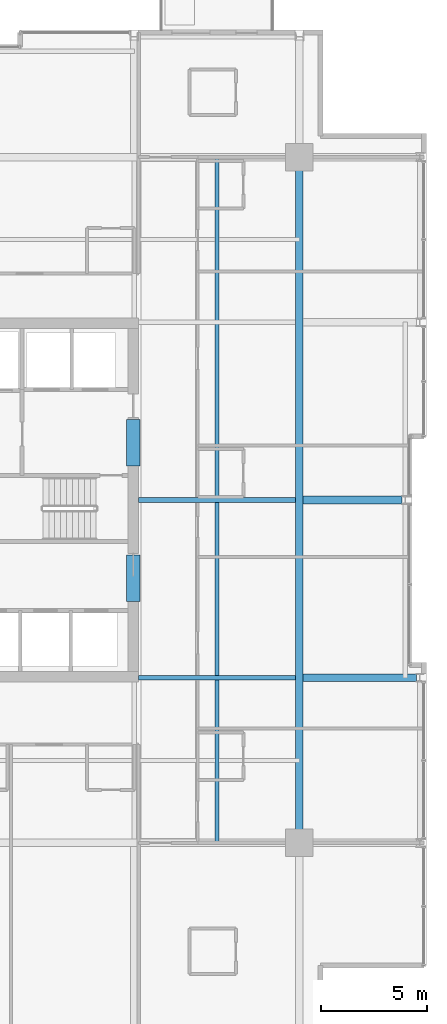
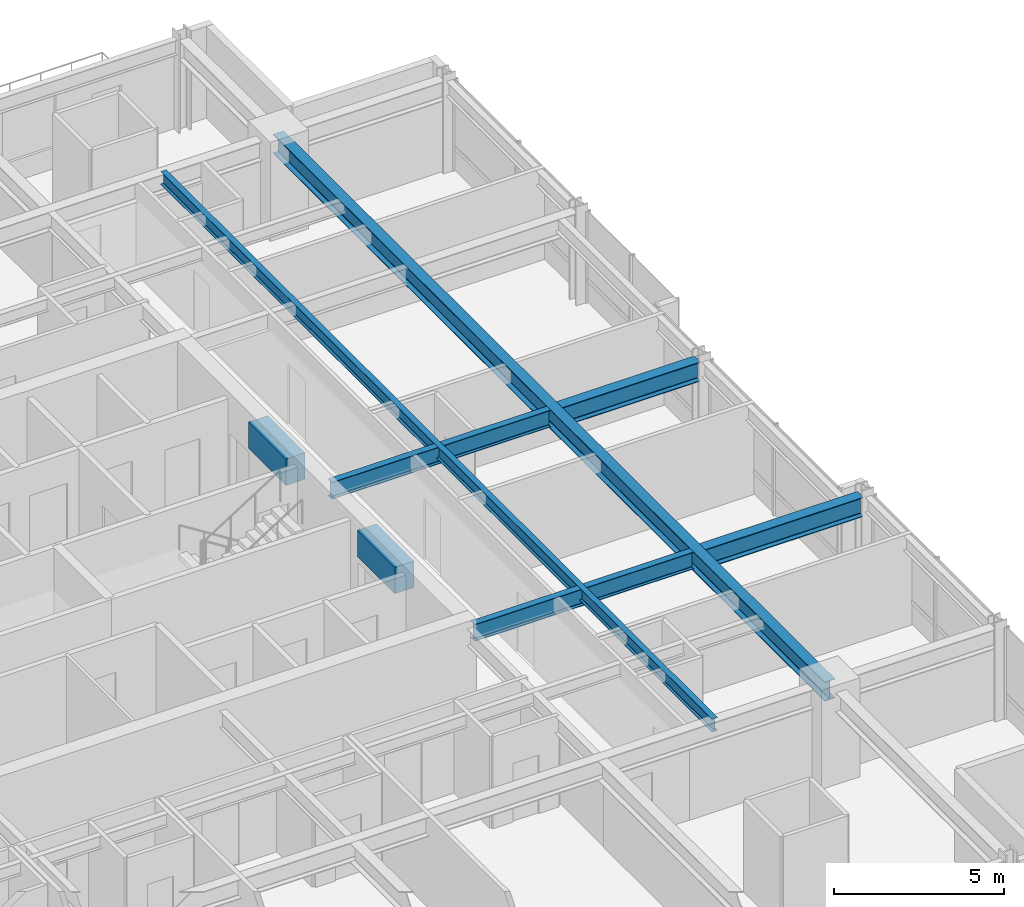
# One storey, part 14 of 34: 8 beams.
"""IFC4 building model written with IfcOpenShell, lengths in metres."""

from ifc_helpers import new_model, si_unit, direction, frame, origin, origin_2d, place, context, subcontext, project, spatial, rectangle, i_section, extrude, material, material_profile, profile_set, type_object, element, save


model = new_model("IFC4")

# Units and contexts
model_context = context("Model", 3, precision=1e-05, world=origin(), true_north=direction((0.0, 1.0)))
body_context = subcontext(model_context, "Body", "Model", "MODEL_VIEW")
ifc_project = project(units=[si_unit("LENGTHUNIT", "METRE"), si_unit("AREAUNIT", "SQUARE_METRE"), si_unit("VOLUMEUNIT", "CUBIC_METRE"), si_unit("PLANEANGLEUNIT", "RADIAN"), si_unit("MASSUNIT", "GRAM", prefix="KILO")], contexts=[model_context])

# Site, building, storey
site_placement = place(None, origin())
site = spatial("IfcSite", under=ifc_project, at=site_placement, CompositionType="ELEMENT")
building_placement = place(site_placement, origin())
building = spatial("IfcBuilding", under=site, at=building_placement, Name="Drelvath Grand Hotel", CompositionType="ELEMENT")
storey_placement = place(building_placement, frame((0.0, 0.0, 175.25)))
storey = spatial("IfcBuildingStorey", under=building, at=storey_placement, Name="L45", CompositionType="ELEMENT", Elevation=175.25)

# Beams
ifc_material_1 = material(Name="Steel ASTM A992 Gr 50", Category="steel")
ifc_material_profile_1 = material_profile(ifc_material_1, i_section(OverallWidth=0.19140625, OverallDepth=0.4599609375, WebThickness=0.010009765625, FlangeThickness=0.01611328125, FilletRadius=0.01611328125, at=origin_2d()), Name="W18X55")
ifc_profile_set_1 = profile_set([ifc_material_profile_1], Name="Steel ASTM A992 Gr 50")
beam_type_1 = type_object("IfcBeamType", Name="Composite Floor Joist W18X55", PredefinedType="JOIST", material=ifc_profile_set_1)
beam_1_placement = place(storey_placement, frame((12.300048828125, 10.800048828125, 3.06005859375), z_axis=(0.0, 1.0, 0.0), x_axis=(-1.0, 0.0, 0.0)))
element("IfcBeam", 1, at=beam_1_placement, inside=storey, type_object=beam_type_1, Name="L45 Wing Floor Joist J4", PredefinedType="JOIST", context=body_context, shape_type="SweptSolid", body=[
    extrude(i_section(OverallWidth=0.19140625, OverallDepth=0.4599609375, WebThickness=0.010009765625, FlangeThickness=0.01611328125, FilletRadius=0.01611328125, at=origin_2d()), origin(), (0.0, 0.0, 1.0), 32.39990234375),
])
ifc_material_2 = material(Name="Concrete f'c 55 MPa", Category="concrete")
ifc_material_profile_2 = material_profile(ifc_material_2, rectangle(XDim=0.64990234375, YDim=0.949951171875, at=origin_2d()), Name="CB650X950")
ifc_profile_set_2 = profile_set([ifc_material_profile_2], Name="Concrete f'c 55 MPa")
beam_type_2 = type_object("IfcBeamType", Name="Core Coupling Lintel CB650X950", PredefinedType="LINTEL", material=ifc_profile_set_2)
for number, where, z_axis, x_axis, name in (
    (2, (8.35009765625, 22.199951171875, 2.81494140625), (0.0, 1.0, 0.0), (-1.0, 0.0, 0.0), "L45 Core Coupling Lintel ES"),
    (3, (8.35009765625, 28.60009765625, 2.81494140625), (0.0, 1.0, 0.0), (-1.0, 0.0, 0.0), "L45 Core Coupling Lintel EN"),
):
    element("IfcBeam", number, at=place(storey_placement, frame(where, z_axis=z_axis, x_axis=x_axis)), inside=storey, type_object=beam_type_2, Name=name, PredefinedType="LINTEL", context=body_context, shape_type="SweptSolid", body=[
        extrude(rectangle(XDim=0.64990234375, YDim=0.949951171875, at=origin_2d()), origin(), (0.0, 0.0, 1.0), 2.199951171875),
    ])
ifc_material_profile_3 = material_profile(ifc_material_1, i_section(OverallWidth=0.228271484375, OverallDepth=0.607666015625, WebThickness=0.01123046875, FlangeThickness=0.017333984375, FilletRadius=0.02001953125, at=origin_2d()), Name="W24X76")
ifc_profile_set_3 = profile_set([ifc_material_profile_3], Name="Steel ASTM A992 Gr 50")
beam_type_3 = type_object("IfcBeamType", Name="Primary Floor Girder W24X76", PredefinedType="BEAM", material=ifc_profile_set_3)
for number, where, z_axis, x_axis, name in (
    (4, (8.60009765625, 18.60009765625, 2.986083984375), (1.0, 0.0, 0.0), (0.0, 1.0, 0.0), "L45 East Core Tie D"),
    (5, (8.60009765625, 27.0, 2.986083984375), (1.0, 0.0, 0.0), (0.0, 1.0, 0.0), "L45 East Core Tie E"),
):
    element("IfcBeam", number, at=place(storey_placement, frame(where, z_axis=z_axis, x_axis=x_axis)), inside=storey, type_object=beam_type_3, Name=name, PredefinedType="BEAM", context=body_context, shape_type="SweptSolid", body=[
        extrude(i_section(OverallWidth=0.228271484375, OverallDepth=0.607666015625, WebThickness=0.01123046875, FlangeThickness=0.017333984375, FilletRadius=0.02001953125, at=origin_2d()), origin(), (0.0, 0.0, 1.0), 7.422607421875),
    ])
ifc_material_profile_4 = material_profile(ifc_material_1, i_section(OverallWidth=0.354736328125, OverallDepth=0.695556640625, WebThickness=0.015380859375, FlangeThickness=0.025146484375, FilletRadius=0.02392578125, at=origin_2d()), Name="W27X146")
ifc_profile_set_4 = profile_set([ifc_material_profile_4], Name="Steel ASTM A992 Gr 50")
beam_type_4 = type_object("IfcBeamType", Name="Primary Floor Girder W27X146", PredefinedType="BEAM", material=ifc_profile_set_4)
beam_2_placement = place(storey_placement, frame((16.199951171875, 10.800048828125, 2.9423828125), z_axis=(0.0, 1.0, 0.0), x_axis=(-1.0, 0.0, 0.0)))
element("IfcBeam", 6, at=beam_2_placement, inside=storey, type_object=beam_type_4, Name="L45 Mega Ring Girder East", PredefinedType="BEAM", context=body_context, shape_type="SweptSolid", body=[
    extrude(i_section(OverallWidth=0.354736328125, OverallDepth=0.695556640625, WebThickness=0.015380859375, FlangeThickness=0.025146484375, FilletRadius=0.02392578125, at=origin_2d()), origin(), (0.0, 0.0, 1.0), 32.39990234375),
])
beam_3_placement = place(storey_placement, frame((16.37744140625, 18.60009765625, 2.9423828125), z_axis=(1.0, 0.0, 0.0), x_axis=(0.0, 1.0, 0.0)))
element("IfcBeam", 7, at=beam_3_placement, inside=storey, type_object=beam_type_4, Name="L45 East Wing Girder D", PredefinedType="BEAM", context=body_context, shape_type="SweptSolid", body=[
    extrude(i_section(OverallWidth=0.354736328125, OverallDepth=0.695556640625, WebThickness=0.015380859375, FlangeThickness=0.025146484375, FilletRadius=0.02392578125, at=origin_2d()), origin(), (0.0, 0.0, 1.0), 5.362548828125),
])
beam_4_placement = place(storey_placement, frame((16.37744140625, 27.0, 2.9423828125), z_axis=(1.0, 0.0, 0.0), x_axis=(0.0, 1.0, 0.0)))
element("IfcBeam", 8, at=beam_4_placement, inside=storey, type_object=beam_type_4, Name="L45 East Wing Girder E", PredefinedType="BEAM", context=body_context, shape_type="SweptSolid", body=[
    extrude(i_section(OverallWidth=0.354736328125, OverallDepth=0.695556640625, WebThickness=0.015380859375, FlangeThickness=0.025146484375, FilletRadius=0.02392578125, at=origin_2d()), origin(), (0.0, 0.0, 1.0), 4.6826171875),
])

save(model, "model.ifc")
